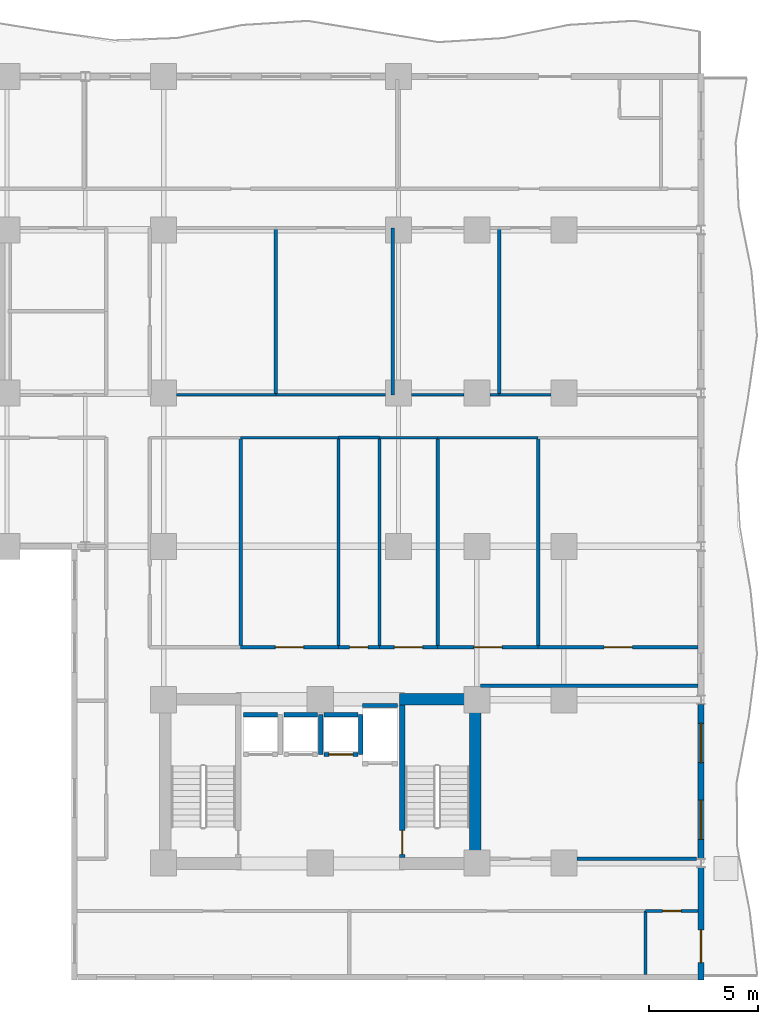
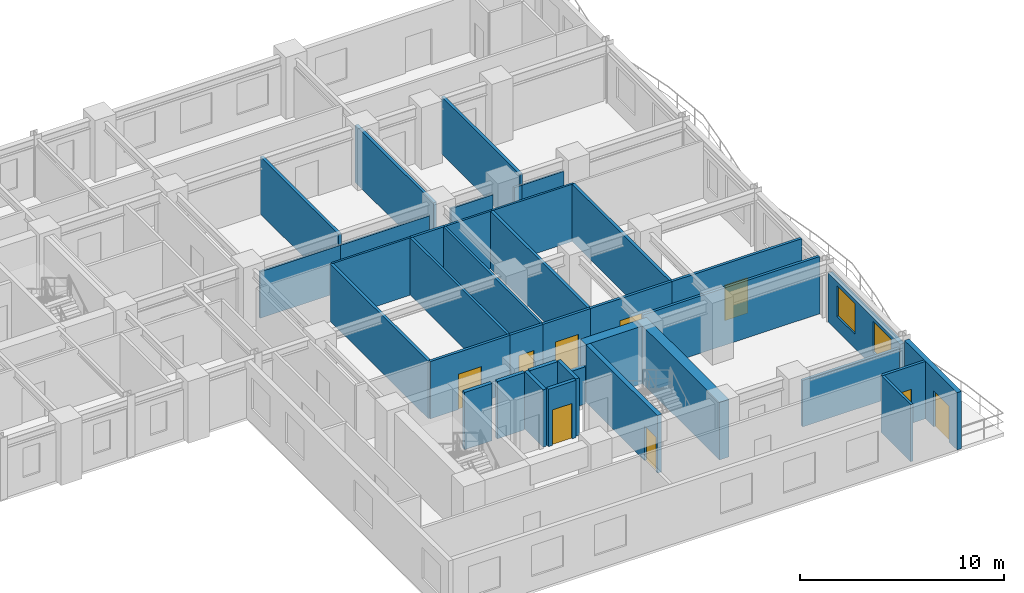
# One storey, part 5 of 11: 38 walls, 9 doors, 2 windows, 11 openings.
"""IFC4 building model written with IfcOpenShell, lengths in metres."""

from ifc_helpers import new_model, si_unit, direction, frame, frame_2d, origin, place, context, subcontext, project, spatial, rectangle, extrude, material, layer, layer_set, type_object, element, fill, save


model = new_model("IFC4")

# Units and contexts
model_context = context("Model", 3, precision=1e-05, world=origin(), true_north=direction((0.0, 1.0)))
body_context = subcontext(model_context, "Body", "Model", "MODEL_VIEW")
ifc_project = project(units=[si_unit("LENGTHUNIT", "METRE"), si_unit("AREAUNIT", "SQUARE_METRE"), si_unit("VOLUMEUNIT", "CUBIC_METRE"), si_unit("PLANEANGLEUNIT", "RADIAN"), si_unit("MASSUNIT", "GRAM", prefix="KILO")], contexts=[model_context])

# Site, building, storey
site_placement = place(None, origin())
site = spatial("IfcSite", under=ifc_project, at=site_placement, CompositionType="ELEMENT")
building_placement = place(site_placement, origin())
building = spatial("IfcBuilding", under=site, at=building_placement, Name="Kaliganga Portal Commons", CompositionType="ELEMENT")
storey_placement = place(building_placement, frame((0.0, 0.0, 86.0)))
storey = spatial("IfcBuildingStorey", under=building, at=storey_placement, Name="L21", CompositionType="ELEMENT", Elevation=86.0)

# Walls
ifc_material_1 = material(Name="Concrete C60/75", Category="concrete")
ifc_layer_1 = layer(ifc_material_1, 0.550048828125)
ifc_layer_set_1 = layer_set([ifc_layer_1], Name="Concrete C60/75")
wall_type_1 = type_object("IfcWallType", Name="WL-CORE-550", PredefinedType="SHEAR", material=ifc_layer_set_1)
wall_1_placement = place(storey_placement, frame((50.324951171875, 6.75, 0.0), z_axis=(0.0, 0.0, 1.0), x_axis=(0.0, 1.0, 0.0)))
element("IfcWall", 1, at=wall_1_placement, inside=storey, type_object=wall_type_1, Name="Core B East Shear Wall L21", PredefinedType="SHEAR", context=body_context, shape_type="SweptSolid", body=[
    extrude(rectangle(XDim=8.10009765625, YDim=0.550048828125, at=frame_2d((4.050048828125, 0.0))), origin(), (0.0, 0.0, 1.0), 3.449951171875),
])
wall_2_placement = place(storey_placement, frame((46.85009765625, 14.574951171875, 0.0), z_axis=(0.0, 0.0, 1.0), x_axis=(1.0, 0.0, 0.0)))
element("IfcWall", 2, at=wall_2_placement, inside=storey, type_object=wall_type_1, Name="Core B N-East Shear Wall L21", PredefinedType="SHEAR", context=body_context, shape_type="SweptSolid", body=[
    extrude(rectangle(XDim=3.199951171875, YDim=0.550048828125, at=frame_2d((1.60009765625, 0.0))), origin(), (0.0, 0.0, 1.0), 3.449951171875),
])

# Wall, opening, door
ifc_material_2 = material(Name="Insulated Aluminium-Clad Spandrel Assembly", Category="aluminium")
ifc_layer_2 = layer(ifc_material_2, 0.260009765625)
ifc_layer_set_2 = layer_set([ifc_layer_2], Name="Insulated Aluminium-Clad Spandrel Assembly")
wall_type_2 = type_object("IfcWallType", Name="WL-EXT-SPAND-260", PredefinedType="STANDARD", material=ifc_layer_set_2)
wall_3_placement = place(storey_placement, frame((60.699951171875, 6.833984375, 0.0), z_axis=(0.0, 0.0, 1.0), x_axis=(0.0, -1.0, 0.0)))
wall_3 = element("IfcWall", 3, at=wall_3_placement, inside=storey, type_object=wall_type_2, Name="Exterior Envelope Wall L21 P1-E01-S1", PredefinedType="STANDARD", context=body_context, shape_type="SweptSolid", body=[
    extrude(rectangle(XDim=5.1640625, YDim=0.260009765625, at=frame_2d((2.58203125, 0.0))), origin(), (0.0, 0.0, 1.0), 3.429931640625),
])
opening_1_placement = place(wall_3_placement, frame((2.864990234375, 0.0, 0.0)))
opening_1 = element("IfcOpeningElement", 4, at=opening_1_placement, cuts=wall_3, Name="Opening BD-01", PredefinedType="OPENING", context=body_context, shape_type="SweptSolid", body=[
    extrude(rectangle(XDim=1.5, YDim=2.14990234375, at=frame_2d((0.75, 1.074951171875))), frame((0.0, 0.14013671875, 0.0), z_axis=(0.0, -1.0, 0.0), x_axis=(1.0, 0.0, 0.0)), (0.0, 0.0, 1.0), 0.280029296875),
])
ifc_material_3 = material(Name="Anodized Aluminium and Laminated Safety Glass", Category="aluminium")
door_type_1 = type_object("IfcDoorType", Name="DR-BALC-1500", OperationType="SLIDING_TO_LEFT", PredefinedType="DOOR", material=ifc_material_3)
door_1_placement = place(opening_1_placement, origin())
door_1 = element("IfcDoor", 5, at=door_1_placement, inside=storey, type_object=door_type_1, Name="Balcony Sliding Door L21 balc_east", OperationType="SLIDING_TO_LEFT", OverallHeight=2.14990234375, OverallWidth=1.5, PredefinedType="DOOR", context=body_context, shape_type="SweptSolid", body=[
    extrude(rectangle(XDim=1.5, YDim=2.14990234375, at=frame_2d((0.75, 1.074951171875))), frame((0.0, 0.02490234375, 0.0), z_axis=(0.0, -1.0, 0.0), x_axis=(1.0, 0.0, 0.0)), (0.0, 0.0, 1.0), 0.050048828125),
])
fill(opening_1, door_1)

# Wall, openings, windows
wall_4_placement = place(storey_placement, frame((60.699951171875, 14.333984375, 0.0), z_axis=(0.0, 0.0, 1.0), x_axis=(0.0, -1.0, 0.0)))
wall_4 = element("IfcWall", 6, at=wall_4_placement, inside=storey, type_object=wall_type_2, Name="Exterior Envelope Wall L21 P1-E01-S2", PredefinedType="STANDARD", context=body_context, shape_type="SweptSolid", body=[
    extrude(rectangle(XDim=7.06787109375, YDim=0.260009765625, at=frame_2d((3.533935546875, 0.0))), origin(), (0.0, 0.0, 1.0), 2.929931640625),
])
opening_2_placement = place(wall_4_placement, frame((0.866943359375, 0.0, 0.85009765625)))
opening_2 = element("IfcOpeningElement", 7, at=opening_2_placement, cuts=wall_4, Name="Opening W-01", PredefinedType="OPENING", context=body_context, shape_type="SweptSolid", body=[
    extrude(rectangle(XDim=1.800048828125, YDim=1.85009765625, at=frame_2d((0.89990234375, 0.925048828125))), frame((0.0, 0.14013671875, 0.0), z_axis=(0.0, -1.0, 0.0), x_axis=(1.0, 0.0, 0.0)), (0.0, 0.0, 1.0), 0.280029296875),
])
opening_3_placement = place(wall_4_placement, frame((4.40087890625, 0.0, 0.85009765625)))
opening_3 = element("IfcOpeningElement", 8, at=opening_3_placement, cuts=wall_4, Name="Opening W-01", PredefinedType="OPENING", context=body_context, shape_type="SweptSolid", body=[
    extrude(rectangle(XDim=1.800048828125, YDim=1.85009765625, at=frame_2d((0.89990234375, 0.925048828125))), frame((0.0, 0.14013671875, 0.0), z_axis=(0.0, -1.0, 0.0), x_axis=(1.0, 0.0, 0.0)), (0.0, 0.0, 1.0), 0.280029296875),
])
ifc_material_4 = material(Name="Thermally Broken Aluminium and Low-E Double Glazing", Category="aluminium")
window_type = type_object("IfcWindowType", Name="WIN-STD-1800", PartitioningType="DOUBLE_PANEL_VERTICAL", PredefinedType="WINDOW", material=ifc_material_4)
window_1_placement = place(opening_2_placement, origin())
window_1 = element("IfcWindow", 9, at=window_1_placement, inside=storey, type_object=window_type, Name="Facade Window L21-P1E01S2-00", OverallHeight=1.85009765625, OverallWidth=1.800048828125, PartitioningType="SINGLE_PANEL", PredefinedType="WINDOW", context=body_context, shape_type="SweptSolid", body=[
    extrude(rectangle(XDim=1.800048828125, YDim=1.85009765625, at=frame_2d((0.89990234375, 0.925048828125))), frame((0.0, 0.030029296875, 0.0), z_axis=(0.0, -1.0, 0.0), x_axis=(1.0, 0.0, 0.0)), (0.0, 0.0, 1.0), 0.06005859375),
])
fill(opening_2, window_1)
window_2_placement = place(opening_3_placement, origin())
window_2 = element("IfcWindow", 10, at=window_2_placement, inside=storey, type_object=window_type, Name="Facade Window L21-P1E01S2-01", OverallHeight=1.85009765625, OverallWidth=1.800048828125, PartitioningType="SINGLE_PANEL", PredefinedType="WINDOW", context=body_context, shape_type="SweptSolid", body=[
    extrude(rectangle(XDim=1.800048828125, YDim=1.85009765625, at=frame_2d((0.89990234375, 0.925048828125))), frame((0.0, 0.030029296875, 0.0), z_axis=(0.0, -1.0, 0.0), x_axis=(1.0, 0.0, 0.0)), (0.0, 0.0, 1.0), 0.06005859375),
])
fill(opening_3, window_2)

# Walls
ifc_material_5 = material(Name="Fire-Rated Gypsum Board on Steel Stud", Category="steel")
ifc_layer_3 = layer(ifc_material_5, 0.14990234375)
ifc_layer_set_3 = layer_set([ifc_layer_3], Name="Fire-Rated Gypsum Board on Steel Stud")
wall_type_3 = type_object("IfcWallType", Name="WL-PART-CORR-150", PredefinedType="PARTITIONING", material=ifc_layer_set_3)
wall_5_placement = place(storey_placement, frame((55.0, 7.239990234375, 0.0), z_axis=(0.0, 0.0, 1.0), x_axis=(1.0, 0.0, 0.0)))
element("IfcWall", 11, at=wall_5_placement, inside=storey, type_object=wall_type_3, Name="Interior Partition L21-009", PredefinedType="PARTITIONING", context=body_context, shape_type="SweptSolid", body=[
    extrude(rectangle(XDim=5.49560546875, YDim=0.14990234375, at=frame_2d((2.747802734375, 0.0))), origin(), (0.0, 0.0, 1.0), 2.780029296875),
])
wall_6_placement = place(storey_placement, frame((50.56005859375, 15.199951171875, 0.0), z_axis=(0.0, 0.0, 1.0), x_axis=(1.0, 0.0, 0.0)))
element("IfcWall", 12, at=wall_6_placement, inside=storey, type_object=wall_type_3, Name="Interior Partition L21-010", PredefinedType="PARTITIONING", context=body_context, shape_type="SweptSolid", body=[
    extrude(rectangle(XDim=10.008056640625, YDim=0.14990234375, at=frame_2d((5.00390625, 0.0))), origin(), (0.0, 0.0, 1.0), 3.429931640625),
])

# Wall, opening, door
wall_7_placement = place(storey_placement, frame((53.219970703125, 16.9599609375, 0.0), z_axis=(0.0, 0.0, 1.0), x_axis=(1.0, 0.0, 0.0)))
wall_7 = element("IfcWall", 13, at=wall_7_placement, inside=storey, type_object=wall_type_3, Name="Interior Partition L21-017", PredefinedType="PARTITIONING", context=body_context, shape_type="SweptSolid", body=[
    extrude(rectangle(XDim=7.34814453125, YDim=0.14990234375, at=frame_2d((3.674072265625, 0.0))), origin(), (0.0, 0.0, 1.0), 3.429931640625),
])
opening_4_placement = place(wall_7_placement, frame((3.02392578125, 0.0, 0.0)))
opening_4 = element("IfcOpeningElement", 14, at=opening_4_placement, cuts=wall_7, Name="Opening RD-03", PredefinedType="OPENING", context=body_context, shape_type="SweptSolid", body=[
    extrude(rectangle(XDim=1.300048828125, YDim=2.1201171875, at=frame_2d((0.64990234375, 1.06005859375))), frame((0.0, 0.0849609375, 0.0), z_axis=(0.0, -1.0, 0.0), x_axis=(1.0, 0.0, 0.0)), (0.0, 0.0, 1.0), 0.169921875),
])
ifc_material_6 = material(Name="Glazed Timber Seminar Vision Door", Category="wood")
door_type_2 = type_object("IfcDoorType", Name="DR-STUDY-1300", OperationType="DOUBLE_DOOR_SINGLE_SWING", PredefinedType="DOOR", material=ifc_material_6)
door_2_placement = place(opening_4_placement, origin())
door_2 = element("IfcDoor", 15, at=door_2_placement, inside=storey, type_object=door_type_2, Name="Interior Door L21-BM05", OperationType="DOUBLE_DOOR_SINGLE_SWING", OverallHeight=2.1201171875, OverallWidth=1.300048828125, PredefinedType="DOOR", context=body_context, shape_type="SweptSolid", body=[
    extrude(rectangle(XDim=1.300048828125, YDim=2.1201171875, at=frame_2d((0.64990234375, 1.06005859375))), frame((0.0, 0.02490234375, 0.0), z_axis=(0.0, -1.0, 0.0), x_axis=(1.0, 0.0, 0.0)), (0.0, 0.0, 1.0), 0.050048828125),
])
fill(opening_4, door_2)

wall_8_placement = place(storey_placement, frame((48.60009765625, 16.9599609375, 0.0), z_axis=(0.0, 0.0, 1.0), x_axis=(1.0, 0.0, 0.0)))
wall_8 = element("IfcWall", 16, at=wall_8_placement, inside=storey, type_object=wall_type_3, Name="Interior Partition L21-028", PredefinedType="PARTITIONING", context=body_context, shape_type="SweptSolid", body=[
    extrude(rectangle(XDim=4.619873046875, YDim=0.14990234375, at=frame_2d((2.31005859375, 0.0))), origin(), (0.0, 0.0, 1.0), 3.429931640625),
])
opening_5_placement = place(wall_8_placement, frame((1.659912109375, 0.0, 0.0)))
opening_5 = element("IfcOpeningElement", 17, at=opening_5_placement, cuts=wall_8, Name="Opening RD-03", PredefinedType="OPENING", context=body_context, shape_type="SweptSolid", body=[
    extrude(rectangle(XDim=1.300048828125, YDim=2.1201171875, at=frame_2d((0.64990234375, 1.06005859375))), frame((0.0, 0.0849609375, 0.0), z_axis=(0.0, -1.0, 0.0), x_axis=(1.0, 0.0, 0.0)), (0.0, 0.0, 1.0), 0.169921875),
])
door_3_placement = place(opening_5_placement, origin())
door_3 = element("IfcDoor", 18, at=door_3_placement, inside=storey, type_object=door_type_2, Name="Interior Door L21-BM04B", OperationType="DOUBLE_DOOR_SINGLE_SWING", OverallHeight=2.1201171875, OverallWidth=1.300048828125, PredefinedType="DOOR", context=body_context, shape_type="SweptSolid", body=[
    extrude(rectangle(XDim=1.300048828125, YDim=2.1201171875, at=frame_2d((0.64990234375, 1.06005859375))), frame((0.0, 0.02490234375, 0.0), z_axis=(0.0, -1.0, 0.0), x_axis=(1.0, 0.0, 0.0)), (0.0, 0.0, 1.0), 0.050048828125),
])
fill(opening_5, door_3)

wall_9_placement = place(storey_placement, frame((39.5400390625, 16.9599609375, 0.0), z_axis=(0.0, 0.0, 1.0), x_axis=(1.0, 0.0, 0.0)))
wall_9 = element("IfcWall", 19, at=wall_9_placement, inside=storey, type_object=wall_type_3, Name="Interior Partition L21-031", PredefinedType="PARTITIONING", context=body_context, shape_type="SweptSolid", body=[
    extrude(rectangle(XDim=4.5, YDim=0.14990234375, at=frame_2d((2.25, 0.0))), origin(), (0.0, 0.0, 1.0), 3.429931640625),
])
opening_6_placement = place(wall_9_placement, frame((1.60009765625, 0.0, 0.0)))
opening_6 = element("IfcOpeningElement", 20, at=opening_6_placement, cuts=wall_9, Name="Opening RD-03", PredefinedType="OPENING", context=body_context, shape_type="SweptSolid", body=[
    extrude(rectangle(XDim=1.300048828125, YDim=2.1201171875, at=frame_2d((0.64990234375, 1.06005859375))), frame((0.0, 0.0849609375, 0.0), z_axis=(0.0, -1.0, 0.0), x_axis=(1.0, 0.0, 0.0)), (0.0, 0.0, 1.0), 0.169921875),
])
door_4_placement = place(opening_6_placement, origin())
door_4 = element("IfcDoor", 21, at=door_4_placement, inside=storey, type_object=door_type_2, Name="Interior Door L21-BM02", OperationType="DOUBLE_DOOR_SINGLE_SWING", OverallHeight=2.1201171875, OverallWidth=1.300048828125, PredefinedType="DOOR", context=body_context, shape_type="SweptSolid", body=[
    extrude(rectangle(XDim=1.300048828125, YDim=2.1201171875, at=frame_2d((0.64990234375, 1.06005859375))), frame((0.0, 0.02490234375, 0.0), z_axis=(0.0, -1.0, 0.0), x_axis=(1.0, 0.0, 0.0)), (0.0, 0.0, 1.0), 0.050048828125),
])
fill(opening_6, door_4)

wall_10_placement = place(storey_placement, frame((45.919921875, 16.9599609375, 0.0), z_axis=(0.0, 0.0, 1.0), x_axis=(1.0, 0.0, 0.0)))
wall_10 = element("IfcWall", 22, at=wall_10_placement, inside=storey, type_object=wall_type_3, Name="Interior Partition L21-037", PredefinedType="PARTITIONING", context=body_context, shape_type="SweptSolid", body=[
    extrude(rectangle(XDim=2.68017578125, YDim=0.14990234375, at=frame_2d((1.340087890625, 0.0))), origin(), (0.0, 0.0, 1.0), 3.429931640625),
])
opening_7_placement = place(wall_10_placement, frame((0.68994140625, 0.0, 0.0)))
opening_7 = element("IfcOpeningElement", 23, at=opening_7_placement, cuts=wall_10, Name="Opening RD-03", PredefinedType="OPENING", context=body_context, shape_type="SweptSolid", body=[
    extrude(rectangle(XDim=1.300048828125, YDim=2.1201171875, at=frame_2d((0.64990234375, 1.06005859375))), frame((0.0, 0.0849609375, 0.0), z_axis=(0.0, -1.0, 0.0), x_axis=(1.0, 0.0, 0.0)), (0.0, 0.0, 1.0), 0.169921875),
])
door_5_placement = place(opening_7_placement, origin())
door_5 = element("IfcDoor", 24, at=door_5_placement, inside=storey, type_object=door_type_2, Name="Interior Door L21-BM04", OperationType="DOUBLE_DOOR_SINGLE_SWING", OverallHeight=2.1201171875, OverallWidth=1.300048828125, PredefinedType="DOOR", context=body_context, shape_type="SweptSolid", body=[
    extrude(rectangle(XDim=1.300048828125, YDim=2.1201171875, at=frame_2d((0.64990234375, 1.06005859375))), frame((0.0, 0.02490234375, 0.0), z_axis=(0.0, -1.0, 0.0), x_axis=(1.0, 0.0, 0.0)), (0.0, 0.0, 1.0), 0.050048828125),
])
fill(opening_7, door_5)

wall_11_placement = place(storey_placement, frame((58.159912109375, 4.840087890625, 0.0), z_axis=(0.0, 0.0, 1.0), x_axis=(1.0, 0.0, 0.0)))
wall_11 = element("IfcWall", 25, at=wall_11_placement, inside=storey, type_object=wall_type_3, Name="Interior Partition L21-041", PredefinedType="PARTITIONING", context=body_context, shape_type="SweptSolid", body=[
    extrude(rectangle(XDim=2.408203125, YDim=0.14990234375, at=frame_2d((1.2041015625, 0.0))), origin(), (0.0, 0.0, 1.0), 3.429931640625),
])
opening_8_placement = place(wall_11_placement, frame((0.779052734375, 0.0, 0.0)))
opening_8 = element("IfcOpeningElement", 26, at=opening_8_placement, cuts=wall_11, Name="Opening WD-01", PredefinedType="OPENING", context=body_context, shape_type="SweptSolid", body=[
    extrude(rectangle(XDim=0.85009765625, YDim=2.0400390625, at=frame_2d((0.425048828125, 1.02001953125))), frame((0.0, 0.0849609375, 0.0), z_axis=(0.0, -1.0, 0.0), x_axis=(1.0, 0.0, 0.0)), (0.0, 0.0, 1.0), 0.169921875),
])
ifc_material_7 = material(Name="Moisture-Resistant Laminate Timber Door", Category="wood")
door_type_3 = type_object("IfcDoorType", Name="DR-WET-850", OperationType="NOTDEFINED", PredefinedType="DOOR", material=ifc_material_7)
door_6_placement = place(opening_8_placement, origin())
door_6 = element("IfcDoor", 27, at=door_6_placement, inside=storey, type_object=door_type_3, Name="Interior Door L21-BS03", OperationType="SINGLE_SWING_LEFT", OverallHeight=2.0400390625, OverallWidth=0.85009765625, PredefinedType="DOOR", context=body_context, shape_type="SweptSolid", body=[
    extrude(rectangle(XDim=0.85009765625, YDim=2.0400390625, at=frame_2d((0.425048828125, 1.02001953125))), frame((0.0, 0.02490234375, 0.0), z_axis=(0.0, -1.0, 0.0), x_axis=(1.0, 0.0, 0.0)), (0.0, 0.0, 1.0), 0.050048828125),
])
fill(opening_8, door_6)

wall_12_placement = place(storey_placement, frame((44.0400390625, 16.9599609375, 0.0), z_axis=(0.0, 0.0, 1.0), x_axis=(1.0, 0.0, 0.0)))
wall_12 = element("IfcWall", 28, at=wall_12_placement, inside=storey, type_object=wall_type_3, Name="Interior Partition L21-044", PredefinedType="PARTITIONING", context=body_context, shape_type="SweptSolid", body=[
    extrude(rectangle(XDim=1.8798828125, YDim=0.14990234375, at=frame_2d((0.93994140625, 0.0))), origin(), (0.0, 0.0, 1.0), 3.429931640625),
])
opening_9_placement = place(wall_12_placement, frame((0.514892578125, 0.0, 0.0)))
opening_9 = element("IfcOpeningElement", 29, at=opening_9_placement, cuts=wall_12, Name="Opening WD-01", PredefinedType="OPENING", context=body_context, shape_type="SweptSolid", body=[
    extrude(rectangle(XDim=0.85009765625, YDim=2.0400390625, at=frame_2d((0.425048828125, 1.02001953125))), frame((0.0, 0.0849609375, 0.0), z_axis=(0.0, -1.0, 0.0), x_axis=(1.0, 0.0, 0.0)), (0.0, 0.0, 1.0), 0.169921875),
])
door_7_placement = place(opening_9_placement, origin())
door_7 = element("IfcDoor", 30, at=door_7_placement, inside=storey, type_object=door_type_3, Name="Interior Door L21-BM03", OperationType="SINGLE_SWING_RIGHT", OverallHeight=2.0400390625, OverallWidth=0.85009765625, PredefinedType="DOOR", context=body_context, shape_type="SweptSolid", body=[
    extrude(rectangle(XDim=0.85009765625, YDim=2.0400390625, at=frame_2d((0.425048828125, 1.02001953125))), frame((0.0, 0.02490234375, 0.0), z_axis=(0.0, -1.0, 0.0), x_axis=(1.0, 0.0, 0.0)), (0.0, 0.0, 1.0), 0.050048828125),
])
fill(opening_9, door_7)

# Walls
ifc_material_8 = material(Name="Moisture-Resistant Gypsum Partition", Category="gypsum")
ifc_layer_4 = layer(ifc_material_8, 0.114990234375)
ifc_layer_set_4 = layer_set([ifc_layer_4], Name="Moisture-Resistant Gypsum Partition")
wall_type_4 = type_object("IfcWallType", Name="WL-PART-ROOM-115", PredefinedType="PARTITIONING", material=ifc_layer_set_4)
wall_13_placement = place(storey_placement, frame((51.419921875, 28.56005859375, 0.0), z_axis=(0.0, 0.0, 1.0), x_axis=(1.0, 0.0, 0.0)))
element("IfcWall", 31, at=wall_13_placement, inside=storey, type_object=wall_type_4, Name="Interior Partition L21-052", PredefinedType="PARTITIONING", context=body_context, shape_type="SweptSolid", body=[
    extrude(rectangle(XDim=2.380126953125, YDim=0.114990234375, at=frame_2d((1.18994140625, 0.0))), origin(), (0.0, 0.0, 1.0), 2.780029296875),
])
wall_14_placement = place(storey_placement, frame((36.60009765625, 28.56005859375, 0.0), z_axis=(0.0, 0.0, 1.0), x_axis=(1.0, 0.0, 0.0)))
element("IfcWall", 32, at=wall_14_placement, inside=storey, type_object=wall_type_4, Name="Interior Partition L21-058", PredefinedType="PARTITIONING", context=body_context, shape_type="SweptSolid", body=[
    extrude(rectangle(XDim=4.559814453125, YDim=0.114990234375, at=frame_2d((2.27978515625, 0.0))), origin(), (0.0, 0.0, 1.0), 2.780029296875),
])
wall_15_placement = place(storey_placement, frame((41.159912109375, 28.56005859375, 0.0), z_axis=(0.0, 0.0, 1.0), x_axis=(1.0, 0.0, 0.0)))
element("IfcWall", 33, at=wall_15_placement, inside=storey, type_object=wall_type_4, Name="Interior Partition L21-059", PredefinedType="PARTITIONING", context=body_context, shape_type="SweptSolid", body=[
    extrude(rectangle(XDim=5.0400390625, YDim=0.114990234375, at=frame_2d((2.52001953125, 0.0))), origin(), (0.0, 0.0, 1.0), 2.780029296875),
])
wall_16_placement = place(storey_placement, frame((47.39990234375, 28.56005859375, 0.0), z_axis=(0.0, 0.0, 1.0), x_axis=(1.0, 0.0, 0.0)))
element("IfcWall", 34, at=wall_16_placement, inside=storey, type_object=wall_type_4, Name="Interior Partition L21-069", PredefinedType="PARTITIONING", context=body_context, shape_type="SweptSolid", body=[
    extrude(rectangle(XDim=2.400146484375, YDim=0.114990234375, at=frame_2d((1.2001953125, 0.0))), origin(), (0.0, 0.0, 1.0), 2.780029296875),
])
wall_17_placement = place(storey_placement, frame((51.0, 28.56005859375, 0.0), z_axis=(0.0, 0.0, 1.0), x_axis=(1.0, 0.0, 0.0)))
element("IfcWall", 35, at=wall_17_placement, inside=storey, type_object=wall_type_4, Name="Interior Partition L21-070", PredefinedType="PARTITIONING", context=body_context, shape_type="SweptSolid", body=[
    extrude(rectangle(XDim=0.419921875, YDim=0.114990234375, at=frame_2d((0.2099609375, 0.0))), origin(), (0.0, 0.0, 1.0), 2.780029296875),
])
wall_18_placement = place(storey_placement, frame((48.60009765625, 26.60009765625, 0.0), z_axis=(0.0, 0.0, 1.0), x_axis=(1.0, 0.0, 0.0)))
element("IfcWall", 36, at=wall_18_placement, inside=storey, type_object=wall_type_4, Name="Interior Partition L21-071", PredefinedType="PARTITIONING", context=body_context, shape_type="SweptSolid", body=[
    extrude(rectangle(XDim=4.619873046875, YDim=0.114990234375, at=frame_2d((2.31005859375, 0.0))), origin(), (0.0, 0.0, 1.0), 3.429931640625),
])
wall_19_placement = place(storey_placement, frame((39.5400390625, 26.60009765625, 0.0), z_axis=(0.0, 0.0, 1.0), x_axis=(1.0, 0.0, 0.0)))
element("IfcWall", 37, at=wall_19_placement, inside=storey, type_object=wall_type_4, Name="Interior Partition L21-074", PredefinedType="PARTITIONING", context=body_context, shape_type="SweptSolid", body=[
    extrude(rectangle(XDim=4.5, YDim=0.114990234375, at=frame_2d((2.25, 0.0))), origin(), (0.0, 0.0, 1.0), 3.429931640625),
])
wall_20_placement = place(storey_placement, frame((45.919921875, 26.60009765625, 0.0), z_axis=(0.0, 0.0, 1.0), x_axis=(1.0, 0.0, 0.0)))
element("IfcWall", 38, at=wall_20_placement, inside=storey, type_object=wall_type_4, Name="Interior Partition L21-080", PredefinedType="PARTITIONING", context=body_context, shape_type="SweptSolid", body=[
    extrude(rectangle(XDim=2.68017578125, YDim=0.114990234375, at=frame_2d((1.340087890625, 0.0))), origin(), (0.0, 0.0, 1.0), 3.429931640625),
])
ifc_material_9 = material(Name="Twin-Stud Acoustic Gypsum Partition", Category="gypsum")
ifc_layer_5 = layer(ifc_material_9, 0.1650390625)
ifc_layer_set_5 = layer_set([ifc_layer_5], Name="Twin-Stud Acoustic Gypsum Partition")
wall_type_5 = type_object("IfcWallType", Name="WL-PART-UNIT-165", PredefinedType="PARTITIONING", material=ifc_layer_set_5)
for number, where, z_axis, x_axis, name in (
    (39, (39.5400390625, 16.9599609375, 0.0), (0.0, 0.0, 1.0), (0.0, 1.0, 0.0), "Interior Partition L21-047"),
    (40, (48.60009765625, 16.9599609375, 0.0), (0.0, 0.0, 1.0), (0.0, 1.0, 0.0), "Interior Partition L21-050"),
    (41, (53.219970703125, 16.9599609375, 0.0), (0.0, 0.0, 1.0), (0.0, 1.0, 0.0), "Interior Partition L21-051"),
):
    element("IfcWall", number, at=place(storey_placement, frame(where, z_axis=z_axis, x_axis=x_axis)), inside=storey, type_object=wall_type_5, Name=name, PredefinedType="PARTITIONING", context=body_context, shape_type="SweptSolid", body=[
        extrude(rectangle(XDim=9.64013671875, YDim=0.1650390625, at=frame_2d((4.820068359375, 0.0))), origin(), (0.0, 0.0, 1.0), 3.429931640625),
    ])
for number, where, z_axis, x_axis, name in (
    (42, (41.159912109375, 28.56005859375, 0.0), (0.0, 0.0, 1.0), (0.0, 1.0, 0.0), "Interior Partition L21-054"),
    (43, (46.5400390625, 28.56005859375, 0.0), (0.0, 0.0, 1.0), (0.0, 1.0, 0.0), "Interior Partition L21-055"),
    (44, (51.419921875, 28.56005859375, 0.0), (0.0, 0.0, 1.0), (0.0, 1.0, 0.0), "Interior Partition L21-056"),
):
    element("IfcWall", number, at=place(storey_placement, frame(where, z_axis=z_axis, x_axis=x_axis)), inside=storey, type_object=wall_type_5, Name=name, PredefinedType="PARTITIONING", context=body_context, shape_type="SweptSolid", body=[
        extrude(rectangle(XDim=7.679931640625, YDim=0.1650390625, at=frame_2d((3.83984375, 0.0))), origin(), (0.0, 0.0, 1.0), 3.429931640625),
    ])
ifc_material_10 = material(Name="Cement-Board Wet-Room Partition", Category="gypsum")
ifc_layer_6 = layer(ifc_material_10, 0.135009765625)
ifc_layer_set_6 = layer_set([ifc_layer_6], Name="Cement-Board Wet-Room Partition")
wall_type_6 = type_object("IfcWallType", Name="WL-PART-WET-135", PredefinedType="PARTITIONING", material=ifc_layer_set_6)
for number, where, z_axis, x_axis, name in (
    (45, (44.0400390625, 16.9599609375, 0.0), (0.0, 0.0, 1.0), (0.0, 1.0, 0.0), "Interior Partition L21-048"),
    (46, (45.919921875, 16.9599609375, 0.0), (0.0, 0.0, 1.0), (0.0, 1.0, 0.0), "Interior Partition L21-049"),
):
    element("IfcWall", number, at=place(storey_placement, frame(where, z_axis=z_axis, x_axis=x_axis)), inside=storey, type_object=wall_type_6, Name=name, PredefinedType="PARTITIONING", context=body_context, shape_type="SweptSolid", body=[
        extrude(rectangle(XDim=9.64013671875, YDim=0.135009765625, at=frame_2d((4.820068359375, 0.0))), origin(), (0.0, 0.0, 1.0), 3.429931640625),
    ])
wall_21_placement = place(storey_placement, frame((58.159912109375, 1.931884765625, 0.0), z_axis=(0.0, 0.0, 1.0), x_axis=(0.0, 1.0, 0.0)))
element("IfcWall", 47, at=wall_21_placement, inside=storey, type_object=wall_type_6, Name="Interior Partition L21-079", PredefinedType="PARTITIONING", context=body_context, shape_type="SweptSolid", body=[
    extrude(rectangle(XDim=2.908203125, YDim=0.135009765625, at=frame_2d((1.4541015625, 0.0))), origin(), (0.0, 0.0, 1.0), 3.429931640625),
])
wall_22_placement = place(storey_placement, frame((44.0400390625, 26.60009765625, 0.0), z_axis=(0.0, 0.0, 1.0), x_axis=(1.0, 0.0, 0.0)))
element("IfcWall", 48, at=wall_22_placement, inside=storey, type_object=wall_type_6, Name="Interior Partition L21-081", PredefinedType="PARTITIONING", context=body_context, shape_type="SweptSolid", body=[
    extrude(rectangle(XDim=1.8798828125, YDim=0.135009765625, at=frame_2d((0.93994140625, 0.0))), origin(), (0.0, 0.0, 1.0), 3.429931640625),
])
ifc_material_11 = material(Name="Fire-Rated Shaftwall Masonry Assembly", Category="masonry")
ifc_layer_7 = layer(ifc_material_11, 0.199951171875)
ifc_layer_set_7 = layer_set([ifc_layer_7], Name="Fire-Rated Shaftwall Masonry Assembly")
wall_type_7 = type_object("IfcWallType", Name="WL-SHAFT-200", PredefinedType="PARTITIONING", material=ifc_layer_set_7)
for number, where, z_axis, x_axis, name in (
    (49, (39.675048828125, 13.864990234375, 0.0), (0.0, 0.0, 1.0), (1.0, 0.0, 0.0), "Lift PL-B1 Hoistway Shaft Wall L21-N"),
    (50, (41.52490234375, 13.864990234375, 0.0), (0.0, 0.0, 1.0), (1.0, 0.0, 0.0), "Lift PL-B2 Hoistway Shaft Wall L21-N"),
):
    element("IfcWall", number, at=place(storey_placement, frame(where, z_axis=z_axis, x_axis=x_axis)), inside=storey, type_object=wall_type_7, Name=name, PredefinedType="PARTITIONING", context=body_context, shape_type="SweptSolid", body=[
        extrude(rectangle(XDim=1.550048828125, YDim=0.199951171875, at=frame_2d((0.77490234375, 0.0))), origin(), (0.0, 0.0, 1.0), 3.429931640625),
    ])
wall_23_placement = place(storey_placement, frame((43.215087890625, 12.034912109375, 0.0), z_axis=(0.0, 0.0, 1.0), x_axis=(0.0, 1.0, 0.0)))
element("IfcWall", 51, at=wall_23_placement, inside=storey, type_object=wall_type_7, Name="Lift PL-B2 Hoistway Shaft Wall L21-E", PredefinedType="PARTITIONING", context=body_context, shape_type="SweptSolid", body=[
    extrude(rectangle(XDim=1.830078125, YDim=0.199951171875, at=frame_2d((0.9150390625, 0.0))), origin(), (0.0, 0.0, 1.0), 3.429931640625),
])

# Wall, opening, door
wall_24_placement = place(storey_placement, frame((43.375, 12.034912109375, 0.0), z_axis=(0.0, 0.0, 1.0), x_axis=(1.0, 0.0, 0.0)))
wall_24 = element("IfcWall", 52, at=wall_24_placement, inside=storey, type_object=wall_type_7, Name="Lift SH-2 Hoistway Shaft Wall L21-S", PredefinedType="PARTITIONING", context=body_context, shape_type="SweptSolid", body=[
    extrude(rectangle(XDim=1.550048828125, YDim=0.199951171875, at=frame_2d((0.77490234375, 0.0))), origin(), (0.0, 0.0, 1.0), 3.429931640625),
])
opening_10_placement = place(wall_24_placement, frame((0.22509765625, 0.0, 0.0)))
opening_10 = element("IfcOpeningElement", 53, at=opening_10_placement, cuts=wall_24, Name="Opening LD-01", PredefinedType="OPENING", context=body_context, shape_type="SweptSolid", body=[
    extrude(rectangle(XDim=1.10009765625, YDim=2.1201171875, at=frame_2d((0.550048828125, 1.06005859375))), frame((0.0, 0.10986328125, 0.0), z_axis=(0.0, -1.0, 0.0), x_axis=(1.0, 0.0, 0.0)), (0.0, 0.0, 1.0), 0.219970703125),
])
ifc_material_12 = material(Name="Brushed Stainless Steel 316 Lift Landing Door", Category="steel")
door_type_4 = type_object("IfcDoorType", Name="DR-LIFT-1100", OperationType="SLIDING_TO_LEFT", PredefinedType="DOOR", material=ifc_material_12)
door_8_placement = place(opening_10_placement, origin())
door_8 = element("IfcDoor", 54, at=door_8_placement, inside=storey, type_object=door_type_4, Name="Lift SH-2 Sliding Landing Door L21", OperationType="SLIDING_TO_LEFT", OverallHeight=2.1201171875, OverallWidth=1.10009765625, PredefinedType="DOOR", context=body_context, shape_type="SweptSolid", body=[
    extrude(rectangle(XDim=1.10009765625, YDim=2.1201171875, at=frame_2d((0.550048828125, 1.06005859375))), frame((0.0, 0.02490234375, 0.0), z_axis=(0.0, -1.0, 0.0), x_axis=(1.0, 0.0, 0.0)), (0.0, 0.0, 1.0), 0.050048828125),
])
fill(opening_10, door_8)

# Walls
wall_25_placement = place(storey_placement, frame((43.375, 13.864990234375, 0.0), z_axis=(0.0, 0.0, 1.0), x_axis=(1.0, 0.0, 0.0)))
element("IfcWall", 55, at=wall_25_placement, inside=storey, type_object=wall_type_7, Name="Lift SH-2 Hoistway Shaft Wall L21-N", PredefinedType="PARTITIONING", context=body_context, shape_type="SweptSolid", body=[
    extrude(rectangle(XDim=1.550048828125, YDim=0.199951171875, at=frame_2d((0.77490234375, 0.0))), origin(), (0.0, 0.0, 1.0), 3.429931640625),
])
wall_26_placement = place(storey_placement, frame((45.06494140625, 12.034912109375, 0.0), z_axis=(0.0, 0.0, 1.0), x_axis=(0.0, 1.0, 0.0)))
element("IfcWall", 56, at=wall_26_placement, inside=storey, type_object=wall_type_7, Name="Lift SH-2 Hoistway Shaft Wall L21-E", PredefinedType="PARTITIONING", context=body_context, shape_type="SweptSolid", body=[
    extrude(rectangle(XDim=1.830078125, YDim=0.199951171875, at=frame_2d((0.9150390625, 0.0))), origin(), (0.0, 0.0, 1.0), 3.429931640625),
])
wall_27_placement = place(storey_placement, frame((45.14990234375, 14.2900390625, 0.0), z_axis=(0.0, 0.0, 1.0), x_axis=(1.0, 0.0, 0.0)))
element("IfcWall", 57, at=wall_27_placement, inside=storey, type_object=wall_type_7, Name="Lift SL-B1 Hoistway Shaft Wall L21-N", PredefinedType="PARTITIONING", context=body_context, shape_type="SweptSolid", body=[
    extrude(rectangle(XDim=1.60009765625, YDim=0.199951171875, at=frame_2d((0.800048828125, 0.0))), origin(), (0.0, 0.0, 1.0), 2.22998046875),
])

# Wall, opening, door
ifc_material_13 = material(Name="Concrete C50/60", Category="concrete")
ifc_layer_8 = layer(ifc_material_13, 0.25)
ifc_layer_set_8 = layer_set([ifc_layer_8], Name="Concrete C50/60")
wall_type_8 = type_object("IfcWallType", Name="WL-STAIR-250", PredefinedType="SHEAR", material=ifc_layer_set_8)
wall_28_placement = place(storey_placement, frame((46.97509765625, 7.300048828125, 0.0), z_axis=(0.0, 0.0, 1.0), x_axis=(0.0, 1.0, 0.0)))
wall_28 = element("IfcWall", 58, at=wall_28_placement, inside=storey, type_object=wall_type_8, Name="Stair B2 Enclosure Shear Wall L21", PredefinedType="SHEAR", context=body_context, shape_type="SweptSolid", body=[
    extrude(rectangle(XDim=7.0, YDim=0.25, at=frame_2d((3.5, 0.0))), origin(), (0.0, 0.0, 1.0), 3.449951171875),
])
opening_11_placement = place(wall_28_placement, frame((0.14990234375, 0.0, 0.0)))
opening_11 = element("IfcOpeningElement", 59, at=opening_11_placement, cuts=wall_28, Name="Opening SD-01", PredefinedType="OPENING", context=body_context, shape_type="SweptSolid", body=[
    extrude(rectangle(XDim=1.10009765625, YDim=2.080078125, at=frame_2d((0.550048828125, 1.0400390625))), frame((0.0, 0.135009765625, 0.0), z_axis=(0.0, -1.0, 0.0), x_axis=(1.0, 0.0, 0.0)), (0.0, 0.0, 1.0), 0.27001953125),
])
ifc_material_14 = material(Name="Galvanized Steel Fire Door Leaf and Frame", Category="steel")
door_type_5 = type_object("IfcDoorType", Name="DR-STAIR-1100", OperationType="NOTDEFINED", PredefinedType="DOOR", material=ifc_material_14)
door_9_placement = place(opening_11_placement, origin())
door_9 = element("IfcDoor", 60, at=door_9_placement, inside=storey, type_object=door_type_5, Name="Protected Stair ST-B2 Fire Door L21", OperationType="SINGLE_SWING_RIGHT", OverallHeight=2.080078125, OverallWidth=1.10009765625, PredefinedType="DOOR", context=body_context, shape_type="SweptSolid", body=[
    extrude(rectangle(XDim=1.10009765625, YDim=2.080078125, at=frame_2d((0.550048828125, 1.0400390625))), frame((0.0, 0.02490234375, 0.0), z_axis=(0.0, -1.0, 0.0), x_axis=(1.0, 0.0, 0.0)), (0.0, 0.0, 1.0), 0.050048828125),
])
fill(opening_11, door_9)

save(model, "model.ifc")
